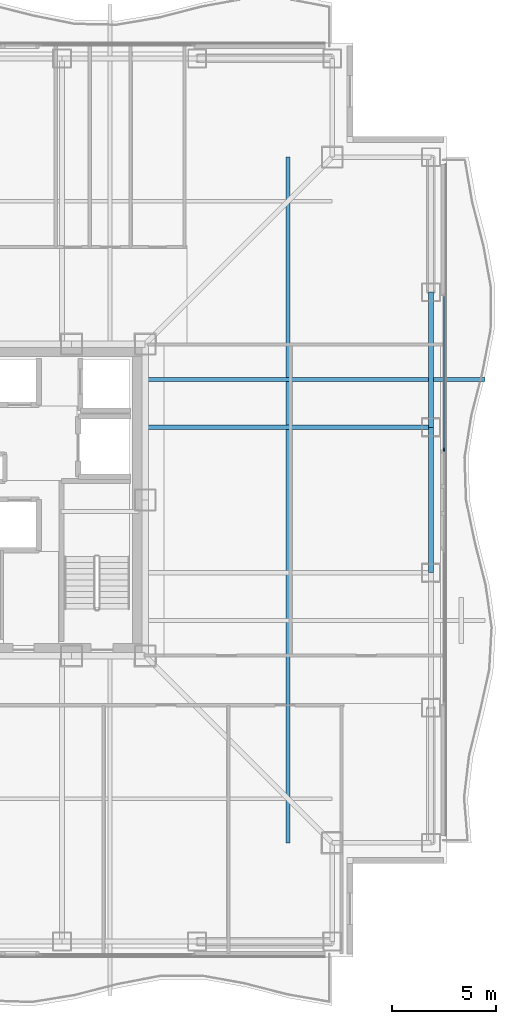
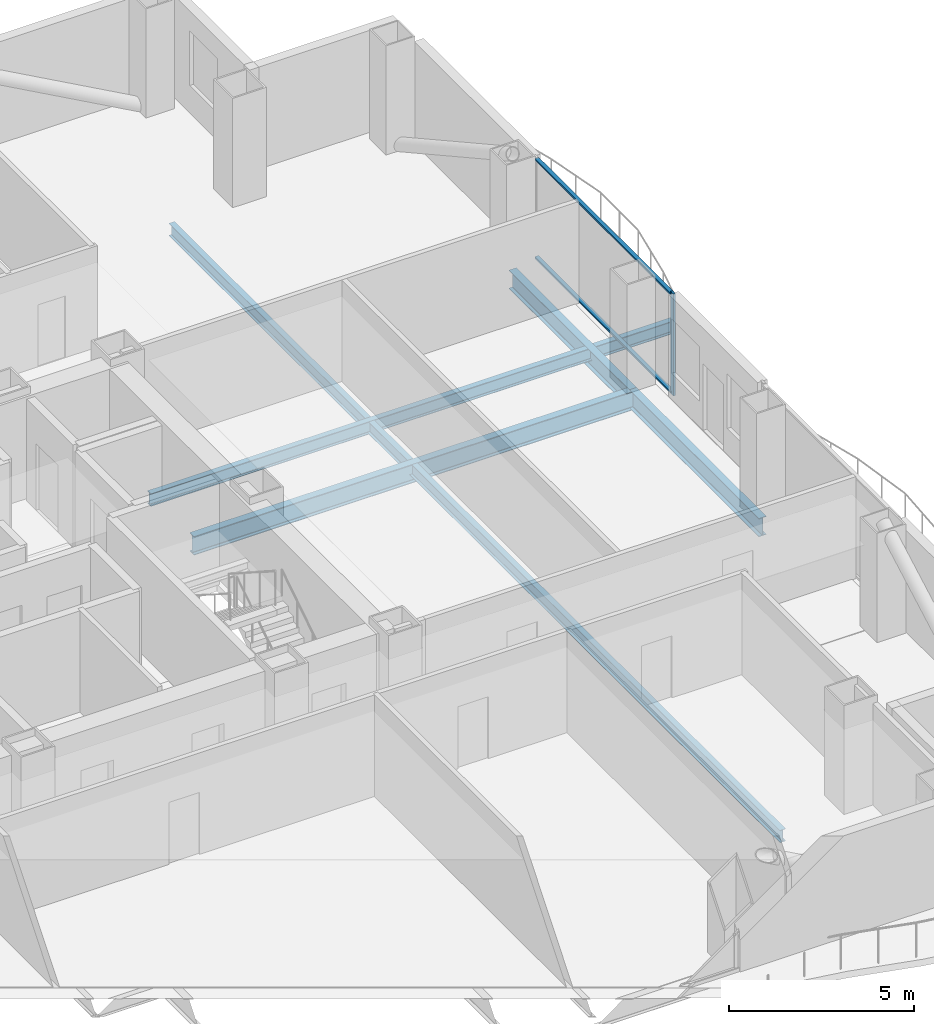
# One storey, part 7 of 18: 5 beams, 3 members, 1 element without a shape of its own.
"""IFC4 building model written with IfcOpenShell, lengths in metres."""

from ifc_helpers import new_model, si_unit, direction, frame, origin, origin_2d, place, context, subcontext, project, spatial, rectangle, i_section, extrude, material, layer, layer_set, material_profile, profile_set, type_object, element, aggregate, save


model = new_model("IFC4")

# Units and contexts
model_context = context("Model", 3, precision=1e-05, world=origin(), true_north=direction((0.0, 1.0)))
body_context = subcontext(model_context, "Body", "Model", "MODEL_VIEW")
ifc_project = project(units=[si_unit("LENGTHUNIT", "METRE"), si_unit("AREAUNIT", "SQUARE_METRE"), si_unit("VOLUMEUNIT", "CUBIC_METRE"), si_unit("PLANEANGLEUNIT", "RADIAN"), si_unit("MASSUNIT", "GRAM", prefix="KILO")], contexts=[model_context])

# Site, building, storey
site_placement = place(None, origin())
site = spatial("IfcSite", under=ifc_project, at=site_placement, CompositionType="ELEMENT")
building_placement = place(site_placement, origin())
building = spatial("IfcBuilding", under=site, at=building_placement, Name="Trevonay Congress Spire", CompositionType="ELEMENT")
storey_placement = place(building_placement, frame((0.0, 0.0, 122.800048828125)))
storey = spatial("IfcBuildingStorey", under=building, at=storey_placement, Name="L31", CompositionType="ELEMENT", Elevation=122.800048828125)

# Beams
ifc_material_1 = material(Name="Steel ASTM A572 Grade 50", Category="steel")
ifc_material_profile_1 = material_profile(ifc_material_1, i_section(OverallWidth=0.22998046875, OverallDepth=0.616943359375, WebThickness=0.01318359375, FlangeThickness=0.022216796875, FilletRadius=0.01611328125, at=origin_2d()), Name="W610x140")
ifc_profile_set_1 = profile_set([ifc_material_profile_1], Name="Steel ASTM A572 Grade 50")
beam_type_1 = type_object("IfcBeamType", Name="BM-GIRD-W610X140", PredefinedType="BEAM", material=ifc_profile_set_1)
beam_1_placement = place(storey_placement, frame((7.5, 3.5, -0.548583984375), z_axis=(1.0, 0.0, 0.0), x_axis=(0.0, 1.0, 0.0)))
element("IfcBeam", 1, at=beam_1_placement, inside=storey, type_object=beam_type_1, Name="L31 structural beam BM-L31-GE-P", PredefinedType="BEAM", context=body_context, shape_type="SweptSolid", body=[
    extrude(i_section(OverallWidth=0.22998046875, OverallDepth=0.616943359375, WebThickness=0.01318359375, FlangeThickness=0.022216796875, FilletRadius=0.01611328125, at=origin_2d()), origin(), (0.0, 0.0, 1.0), 13.75),
])
ifc_material_profile_2 = material_profile(ifc_material_1, i_section(OverallWidth=0.22802734375, OverallDepth=0.60791015625, WebThickness=0.01123046875, FlangeThickness=0.017333984375, FilletRadius=0.01611328125, at=origin_2d()), Name="W610x113")
ifc_profile_set_2 = profile_set([ifc_material_profile_2], Name="Steel ASTM A572 Grade 50")
beam_type_2 = type_object("IfcBeamType", Name="BM-RING-W610X113", PredefinedType="BEAM", material=ifc_profile_set_2)
beam_2_placement = place(storey_placement, frame((21.25, -3.5, -0.5439453125), z_axis=(0.0, 1.0, 0.0), x_axis=(-1.0, 0.0, 0.0)))
element("IfcBeam", 2, at=beam_2_placement, inside=storey, type_object=beam_type_2, Name="L31 structural beam BM-L31-PE3", PredefinedType="BEAM", context=body_context, shape_type="SweptSolid", body=[
    extrude(i_section(OverallWidth=0.22802734375, OverallDepth=0.60791015625, WebThickness=0.01123046875, FlangeThickness=0.017333984375, FilletRadius=0.01611328125, at=origin_2d()), origin(), (0.0, 0.0, 1.0), 7.0),
])
beam_3_placement = place(storey_placement, frame((21.25, 3.5, -0.5439453125), z_axis=(0.0, 1.0, 0.0), x_axis=(-1.0, 0.0, 0.0)))
element("IfcBeam", 3, at=beam_3_placement, inside=storey, type_object=beam_type_2, Name="L31 structural beam BM-L31-PE4", PredefinedType="BEAM", context=body_context, shape_type="SweptSolid", body=[
    extrude(i_section(OverallWidth=0.22802734375, OverallDepth=0.60791015625, WebThickness=0.01123046875, FlangeThickness=0.017333984375, FilletRadius=0.01611328125, at=origin_2d()), origin(), (0.0, 0.0, 1.0), 6.5),
])
ifc_material_profile_3 = material_profile(ifc_material_1, i_section(OverallWidth=0.180908203125, OverallDepth=0.4169921875, WebThickness=0.010986328125, FlangeThickness=0.018310546875, FilletRadius=0.012939453125, at=origin_2d()), Name="W410x85")
ifc_profile_set_3 = profile_set([ifc_material_profile_3], Name="Steel ASTM A572 Grade 50")
beam_type_3 = type_object("IfcBeamType", Name="BM-WAV-LOOKOUT", PredefinedType="BEAM", material=ifc_profile_set_3)
beam_4_placement = place(storey_placement, frame((7.5, 5.800048828125, -0.448486328125), z_axis=(1.0, 0.0, 0.0), x_axis=(0.0, 1.0, 0.0)))
element("IfcBeam", 4, at=beam_4_placement, inside=storey, type_object=beam_type_3, Name="L31 structural beam WLK-L31-E2", PredefinedType="BEAM", context=body_context, shape_type="SweptSolid", body=[
    extrude(i_section(OverallWidth=0.180908203125, OverallDepth=0.4169921875, WebThickness=0.010986328125, FlangeThickness=0.018310546875, FilletRadius=0.012939453125, at=origin_2d()), origin(), (0.0, 0.0, 1.0), 16.35009765625),
])

# Curtain wall, members
ifc_material_2 = material(Name="Pale Anodised Aluminium EN AW-6063-T6", Category="aluminium")
ifc_layer = layer(ifc_material_2, 0.175048828125, Name="Pale Anodised Aluminium EN AW-6063-T6")
ifc_layer_set = layer_set([ifc_layer], Name="Pale Anodised Aluminium EN AW-6063-T6")
curtain_wall_type = type_object("IfcCurtainWallType", Name="CW-SYS03-CONGRESS-PALE-METAL", PredefinedType="NOTDEFINED", material=ifc_layer_set)
curtain_wall_placement = place(storey_placement, origin())
curtain_wall = element("IfcCurtainWall", 5, at=curtain_wall_placement, inside=storey, type_object=curtain_wall_type, Name="L31 EB unitised curtain wall", PredefinedType="NOTDEFINED")
ifc_material_profile_4 = material_profile(ifc_material_2, rectangle(XDim=0.06005859375, YDim=0.159912109375, at=origin_2d()), Name="CW-MULLION-160-ALUMINIUM")
ifc_profile_set_4 = profile_set([ifc_material_profile_4], Name="Pale Anodised Aluminium EN AW-6063-T6")
member_type_1 = type_object("IfcMemberType", Name="CW-MULLION-160-ALUMINIUM", PredefinedType="MULLION", material=ifc_profile_set_4)
member_1_placement = place(storey_placement, frame((21.8798828125, 2.429931640625, 0.0), z_axis=(0.0, 0.0, 1.0), x_axis=(-1.0, 0.0, 0.0)))
member_1 = element("IfcMember", 6, at=member_1_placement, type_object=member_type_1, Name="CW03 mullion 1", PredefinedType="MULLION", context=body_context, shape_type="SweptSolid", body=[
    extrude(rectangle(XDim=0.06005859375, YDim=0.159912109375, at=origin_2d()), origin(), (0.0, 0.0, 1.0), 3.35986328125),
])
ifc_material_profile_5 = material_profile(ifc_material_2, rectangle(XDim=0.1201171875, YDim=0.06005859375, at=origin_2d()), Name="CW-TRANSOM-120-ALUMINIUM")
ifc_profile_set_5 = profile_set([ifc_material_profile_5], Name="Pale Anodised Aluminium EN AW-6063-T6")
member_type_2 = type_object("IfcMemberType", Name="CW-TRANSOM-120-ALUMINIUM", PredefinedType="USERDEFINED", material=ifc_profile_set_5)
member_2_placement = place(storey_placement, frame((21.8798828125, 2.4599609375, 0.06005859375), z_axis=(0.0, 1.0, 0.0), x_axis=(-1.0, 0.0, 0.0)))
member_2 = element("IfcMember", 7, at=member_2_placement, type_object=member_type_2, Name="CW03 transom 1.1", ObjectType="TRANSOM", PredefinedType="USERDEFINED", context=body_context, shape_type="SweptSolid", body=[
    extrude(rectangle(XDim=0.1201171875, YDim=0.06005859375, at=origin_2d()), origin(), (0.0, 0.0, 1.0), 7.330078125),
])
member_3_placement = place(storey_placement, frame((21.8798828125, 2.4599609375, 3.300048828125), z_axis=(0.0, 1.0, 0.0), x_axis=(-1.0, 0.0, 0.0)))
member_3 = element("IfcMember", 8, at=member_3_placement, type_object=member_type_2, Name="CW03 transom 1.2", ObjectType="TRANSOM", PredefinedType="USERDEFINED", context=body_context, shape_type="SweptSolid", body=[
    extrude(rectangle(XDim=0.1201171875, YDim=0.06005859375, at=origin_2d()), origin(), (0.0, 0.0, 1.0), 7.330078125),
])
aggregate(curtain_wall, [member_1, member_2, member_3])

# Beam
ifc_material_profile_6 = material_profile(ifc_material_1, i_section(OverallWidth=0.177978515625, OverallDepth=0.406982421875, WebThickness=0.0078125, FlangeThickness=0.0126953125, FilletRadius=0.012939453125, at=origin_2d()), Name="W410x60")
ifc_profile_set_6 = profile_set([ifc_material_profile_6], Name="Steel ASTM A572 Grade 50")
beam_type_4 = type_object("IfcBeamType", Name="JS-COMP-W410X60", PredefinedType="JOIST", material=ifc_profile_set_6)
beam_5_placement = place(storey_placement, frame((14.375, -16.5, -0.443603515625), z_axis=(0.0, 1.0, 0.0), x_axis=(-1.0, 0.0, 0.0)))
element("IfcBeam", 9, at=beam_5_placement, inside=storey, type_object=beam_type_4, Name="L31 structural beam JS-L31-RING-E", PredefinedType="JOIST", context=body_context, shape_type="SweptSolid", body=[
    extrude(i_section(OverallWidth=0.177978515625, OverallDepth=0.406982421875, WebThickness=0.0078125, FlangeThickness=0.0126953125, FilletRadius=0.012939453125, at=origin_2d()), origin(), (0.0, 0.0, 1.0), 33.0),
])

save(model, "model.ifc")
